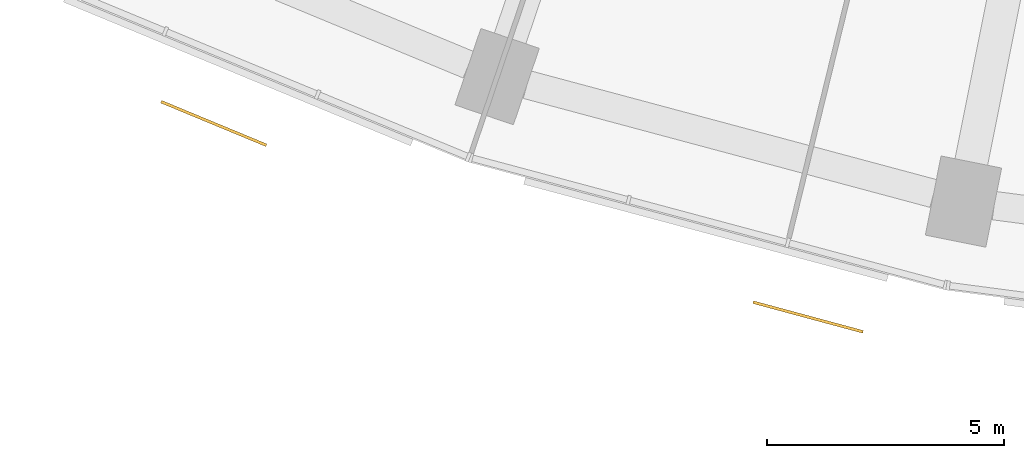
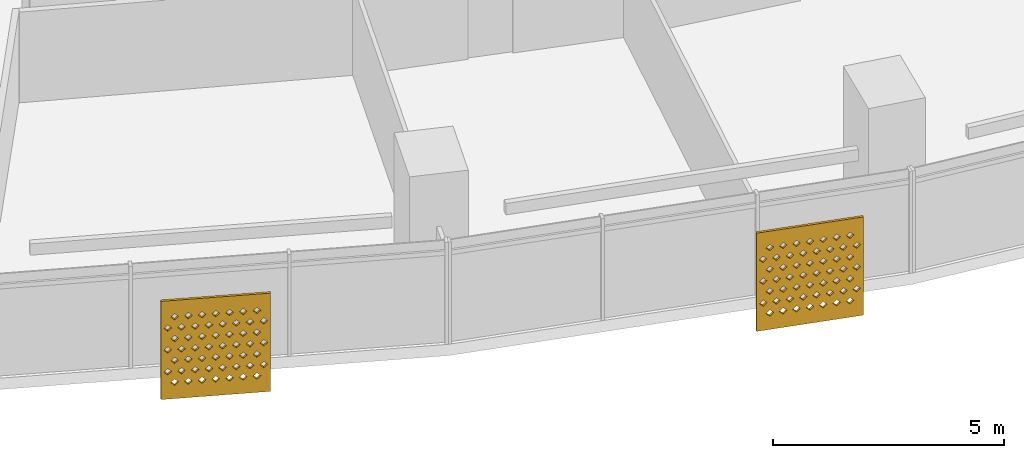
# One storey, part 26 of 31: 2 shading devices.
"""IFC4 building model written with IfcOpenShell, lengths in metres."""

import ifcopenshell
import ifcopenshell.guid

model = None  # the IFC model being written
_history = None  # IfcOwnerHistory: only IFC2X3 demands one
_inside = {}  # id of a spatial element -> (the spatial element, [elements in it])
_under = {}  # id of a project, library or spatial element -> (it, [spatial elements below it])
_declared = {}  # id of a project -> (the project, [libraries it declares])
_typed = {}  # id of a type object -> (the type object, [elements of that type])
_made_of = {}  # id of a material, layer set ... -> (it, [elements and type objects made of it])


def new_model(schema):
    """Start an empty IFC model of exactly this schema.

    Asked for "IFC4X3", IfcOpenShell would pick the latest addendum, in which some entities
    have other attributes; the version numbers below select the first issue.
    IFC2X3 requires an IfcOwnerHistory on every rooted entity: one is made here for all.
    """
    global model, _history
    if schema == "IFC4X3":
        model = ifcopenshell.file(schema_version=(4, 3, 0, 0))
    else:
        model = ifcopenshell.file(schema=schema)
    _inside.clear()
    _under.clear()
    _declared.clear()
    _typed.clear()
    _made_of.clear()
    _history = None
    if model.schema == "IFC2X3":
        org = make("IfcOrganization", Name="unknown")
        user = make(
            "IfcPersonAndOrganization",
            ThePerson=make("IfcPerson", FamilyName="unknown"),
            TheOrganization=org,
        )
        app = make(
            "IfcApplication",
            ApplicationDeveloper=org,
            Version="unknown",
            ApplicationFullName="unknown",
            ApplicationIdentifier="unknown",
        )
        _history = make(
            "IfcOwnerHistory",
            OwningUser=user,
            OwningApplication=app,
            ChangeAction="ADDED",
            CreationDate=0,
        )
    return model


def make(cls, **values):
    """One entity of the class cls with the attributes given. An attribute that is None is left unset."""
    return model.create_entity(
        cls, **{name: value for name, value in values.items() if value is not None}
    )


def rooted(cls, **values):
    """An entity with a GlobalId (a new one), such as an element, a storey or a relation."""
    return make(cls, GlobalId=ifcopenshell.guid.new(), OwnerHistory=_history, **values)


def si_unit(unit_type, name, prefix=None):
    """IfcSIUnit, for example si_unit("LENGTHUNIT", "METRE", prefix="MILLI")."""
    return make("IfcSIUnit", UnitType=unit_type, Prefix=prefix, Name=name)


def assignment(units):
    """IfcUnitAssignment: the units of a project."""
    return None if units is None else make("IfcUnitAssignment", Units=units)


def point(xyz):
    """IfcCartesianPoint."""
    return None if xyz is None else make("IfcCartesianPoint", Coordinates=xyz)


def direction(xyz):
    """IfcDirection."""
    return None if xyz is None else make("IfcDirection", DirectionRatios=xyz)


def frame(location, z_axis=None, x_axis=None):
    """IfcAxis2Placement3D, a coordinate frame: its origin and axes. An axis left out is left unset."""
    return make(
        "IfcAxis2Placement3D",
        Location=point(location),
        Axis=direction(z_axis),
        RefDirection=direction(x_axis),
    )


def origin():
    """The frame at (0, 0, 0) with its axes left unset."""
    return frame((0.0, 0.0, 0.0))


def place(relative_to, where):
    """IfcLocalPlacement: puts the frame where relative to a parent placement (None: the world)."""
    return make(
        "IfcLocalPlacement", PlacementRelTo=relative_to, RelativePlacement=where
    )


def context(
    kind, dimensions, precision=None, world=None, true_north=None, identifier=None
):
    """IfcGeometricRepresentationContext, for example the 3D "Model" context."""
    return make(
        "IfcGeometricRepresentationContext",
        ContextIdentifier=identifier,
        ContextType=kind,
        CoordinateSpaceDimension=dimensions,
        Precision=precision,
        WorldCoordinateSystem=world,
        TrueNorth=true_north,
    )


def subcontext(parent, identifier, kind, view, scale=None):
    """IfcGeometricRepresentationSubContext, for example "Body" below "Model"."""
    return make(
        "IfcGeometricRepresentationSubContext",
        ContextIdentifier=identifier,
        ContextType=kind,
        ParentContext=parent,
        TargetScale=scale,
        TargetView=view,
    )


def project(units=None, contexts=None):
    """IfcProject with its units and contexts."""
    return rooted(
        "IfcProject",
        Name="project",
        RepresentationContexts=contexts,
        UnitsInContext=assignment(units),
    )


def spatial(cls, under=None, at=None, **own):
    """A site, building, storey or space (cls), placed at a placement, below another one or the project."""
    s = rooted(cls, ObjectPlacement=at, **own)
    if under is not None:
        _under.setdefault(under.id(), (under, []))[1].append(s)
    return s


def polyline(points):
    """IfcPolyline through the points."""
    return make("IfcPolyline", Points=[point(p) for p in points])


def outline(outer, holes=None, kind="AREA"):
    """IfcArbitraryClosedProfileDef: a profile drawn as a closed curve; with holes, ...WithVoids."""
    if holes is None:
        return make("IfcArbitraryClosedProfileDef", ProfileType=kind, OuterCurve=outer)
    return make(
        "IfcArbitraryProfileDefWithVoids",
        ProfileType=kind,
        OuterCurve=outer,
        InnerCurves=holes,
    )


def extrude(swept, where, along, depth):
    """IfcExtrudedAreaSolid: the profile swept, set in the frame where, extruded along a direction by depth."""
    return make(
        "IfcExtrudedAreaSolid",
        SweptArea=swept,
        Position=where,
        ExtrudedDirection=direction(along),
        Depth=depth,
    )


def shape(context_of_items, identifier, shape_type, items):
    """IfcShapeRepresentation: the items that make up one representation, for example the "Body"."""
    return make(
        "IfcShapeRepresentation",
        ContextOfItems=context_of_items,
        RepresentationIdentifier=identifier,
        RepresentationType=shape_type,
        Items=items,
    )


def material(Name=None, Category=None):
    """IfcMaterial."""
    return make("IfcMaterial", Name=Name, Category=Category)


def material_profile(
    of_material, cross_section, Name=None, Category=None, Priority=None
):
    """IfcMaterialProfile: a cross section and its material."""
    return make(
        "IfcMaterialProfile",
        Name=Name,
        Material=of_material,
        Profile=cross_section,
        Priority=Priority,
        Category=Category,
    )


def profile_set(profiles, Name=None, composite=None):
    """IfcMaterialProfileSet."""
    return make(
        "IfcMaterialProfileSet",
        Name=Name,
        MaterialProfiles=profiles,
        CompositeProfile=composite,
    )


def made_of(thing, what):
    """Note that an element or type object is made of a material, layer set ...; save() writes the relation."""
    if what is not None:
        _made_of.setdefault(what.id(), (what, []))[1].append(thing)
    return thing


def type_object(cls, material=None, **own):
    """A type object (cls), such as IfcWallType, which elements share."""
    return made_of(rooted(cls, **own), material)


def element(
    cls,
    number,
    at=None,
    inside=None,
    cuts=None,
    type_object=None,
    material=None,
    context=None,
    identifier="Body",
    shape_type=None,
    held_by="IfcProductDefinitionShape",
    body=None,
    shapes=None,
    **own,
):
    """One element of the class cls, such as IfcWall. Its Tag is "e" and its number.

    at: its placement. inside: the storey or other place that contains it. cuts: it is an
    opening in that element (IfcRelVoidsElement). A single representation is given by context,
    identifier, shape_type and body (its items); several are given by shapes. held_by: the class
    of the entity that holds the representations. save() writes the other relations.
    """
    e = rooted(cls, Tag="e%d" % number, ObjectPlacement=at, **own)
    if body is not None:
        shapes = [shape(context, identifier, shape_type, body)]
    if shapes is not None:
        e.Representation = make(held_by, Representations=shapes)
    if inside is not None:
        _inside.setdefault(inside.id(), (inside, []))[1].append(e)
    if cuts is not None:
        rooted(
            "IfcRelVoidsElement", RelatingBuildingElement=cuts, RelatedOpeningElement=e
        )
    if type_object is not None:
        _typed.setdefault(type_object.id(), (type_object, []))[1].append(e)
    return made_of(e, material)


def aggregate(whole, parts):
    """IfcRelAggregates: a whole, such as a stair, and the parts it consists of."""
    return rooted("IfcRelAggregates", RelatingObject=whole, RelatedObjects=parts)


def save(model, path):
    """Write the relations noted so far, then the file.

    IfcRelAggregates (storeys below a building ...), IfcRelContainedInSpatialStructure (elements
    in a storey), IfcRelDefinesByType, IfcRelAssociatesMaterial and IfcRelDeclares: one each for
    every whole, place, type object, material and project.
    """
    for whole, parts in _under.values():
        aggregate(whole, parts)
    for where, things in _inside.values():
        rooted(
            "IfcRelContainedInSpatialStructure",
            RelatedElements=things,
            RelatingStructure=where,
        )
    for kind, things in _typed.values():
        rooted("IfcRelDefinesByType", RelatedObjects=things, RelatingType=kind)
    for what, things in _made_of.values():
        rooted("IfcRelAssociatesMaterial", RelatedObjects=things, RelatingMaterial=what)
    for by, libraries in _declared.values():
        rooted("IfcRelDeclares", RelatingContext=by, RelatedDefinitions=libraries)
    model.write(path)


model = new_model("IFC4")

# Units and contexts
model_context = context("Model", 3, precision=1e-05, world=origin(), true_north=direction((0.0, 1.0)))
body_context = subcontext(model_context, "Body", "Model", "MODEL_VIEW")
ifc_project = project(units=[si_unit("LENGTHUNIT", "METRE"), si_unit("AREAUNIT", "SQUARE_METRE"), si_unit("VOLUMEUNIT", "CUBIC_METRE"), si_unit("PLANEANGLEUNIT", "RADIAN"), si_unit("MASSUNIT", "GRAM", prefix="KILO")], contexts=[model_context])

# Site, building, storey
site_placement = place(None, origin())
site = spatial("IfcSite", under=ifc_project, at=site_placement, CompositionType="ELEMENT")
building_placement = place(site_placement, origin())
building = spatial("IfcBuilding", under=site, at=building_placement, Name="Qamariyya Broadcast Tower", CompositionType="ELEMENT")
storey_placement = place(building_placement, frame((0.0, 0.0, 51.89990234375)))
storey = spatial("IfcBuildingStorey", under=building, at=storey_placement, Name="L09", CompositionType="ELEMENT", Elevation=51.89990234375)

# Shading devices
ifc_material = material(Name="Perforated glazed terracotta", Category="masonry")
ifc_material_profile = material_profile(ifc_material, outline(polyline([(-1.199951171875, -1.300048828125), (1.199951171875, -1.300048828125), (1.199951171875, 1.300048828125), (-1.199951171875, 1.300048828125), (-1.199951171875, -1.300048828125)]), holes=[polyline([(-0.81494140625, -0.86669921875), (-0.89990234375, -0.78173828125), (-0.985107421875, -0.86669921875), (-0.89990234375, -0.95166015625), (-0.81494140625, -0.86669921875)]), polyline([(-0.514892578125, -0.86669921875), (-0.60009765625, -0.78173828125), (-0.68505859375, -0.86669921875), (-0.60009765625, -0.95166015625), (-0.514892578125, -0.86669921875)]), polyline([(-0.215087890625, -0.86669921875), (-0.300048828125, -0.78173828125), (-0.385009765625, -0.86669921875), (-0.300048828125, -0.95166015625), (-0.215087890625, -0.86669921875)]), polyline([(0.0849609375, -0.86669921875), (0.0, -0.78173828125), (-0.0849609375, -0.86669921875), (0.0, -0.95166015625), (0.0849609375, -0.86669921875)]), polyline([(0.385009765625, -0.86669921875), (0.300048828125, -0.78173828125), (0.215087890625, -0.86669921875), (0.300048828125, -0.95166015625), (0.385009765625, -0.86669921875)]), polyline([(0.68505859375, -0.86669921875), (0.60009765625, -0.78173828125), (0.514892578125, -0.86669921875), (0.60009765625, -0.95166015625), (0.68505859375, -0.86669921875)]), polyline([(0.985107421875, -0.86669921875), (0.89990234375, -0.78173828125), (0.81494140625, -0.86669921875), (0.89990234375, -0.95166015625), (0.985107421875, -0.86669921875)]), polyline([(-0.965087890625, -0.577880859375), (-1.050048828125, -0.49267578125), (-1.135009765625, -0.577880859375), (-1.050048828125, -0.662841796875), (-0.965087890625, -0.577880859375)]), polyline([(-0.6650390625, -0.577880859375), (-0.75, -0.49267578125), (-0.8349609375, -0.577880859375), (-0.75, -0.662841796875), (-0.6650390625, -0.577880859375)]), polyline([(-0.364990234375, -0.577880859375), (-0.449951171875, -0.49267578125), (-0.534912109375, -0.577880859375), (-0.449951171875, -0.662841796875), (-0.364990234375, -0.577880859375)]), polyline([(-0.06494140625, -0.577880859375), (-0.14990234375, -0.49267578125), (-0.235107421875, -0.577880859375), (-0.14990234375, -0.662841796875), (-0.06494140625, -0.577880859375)]), polyline([(0.235107421875, -0.577880859375), (0.14990234375, -0.49267578125), (0.06494140625, -0.577880859375), (0.14990234375, -0.662841796875), (0.235107421875, -0.577880859375)]), polyline([(0.534912109375, -0.577880859375), (0.449951171875, -0.49267578125), (0.364990234375, -0.577880859375), (0.449951171875, -0.662841796875), (0.534912109375, -0.577880859375)]), polyline([(0.8349609375, -0.577880859375), (0.75, -0.49267578125), (0.6650390625, -0.577880859375), (0.75, -0.662841796875), (0.8349609375, -0.577880859375)]), polyline([(1.135009765625, -0.577880859375), (1.050048828125, -0.49267578125), (0.965087890625, -0.577880859375), (1.050048828125, -0.662841796875), (1.135009765625, -0.577880859375)]), polyline([(-0.81494140625, -0.288818359375), (-0.89990234375, -0.203857421875), (-0.985107421875, -0.288818359375), (-0.89990234375, -0.373779296875), (-0.81494140625, -0.288818359375)]), polyline([(-0.514892578125, -0.288818359375), (-0.60009765625, -0.203857421875), (-0.68505859375, -0.288818359375), (-0.60009765625, -0.373779296875), (-0.514892578125, -0.288818359375)]), polyline([(-0.215087890625, -0.288818359375), (-0.300048828125, -0.203857421875), (-0.385009765625, -0.288818359375), (-0.300048828125, -0.373779296875), (-0.215087890625, -0.288818359375)]), polyline([(0.0849609375, -0.288818359375), (0.0, -0.203857421875), (-0.0849609375, -0.288818359375), (0.0, -0.373779296875), (0.0849609375, -0.288818359375)]), polyline([(0.385009765625, -0.288818359375), (0.300048828125, -0.203857421875), (0.215087890625, -0.288818359375), (0.300048828125, -0.373779296875), (0.385009765625, -0.288818359375)]), polyline([(0.68505859375, -0.288818359375), (0.60009765625, -0.203857421875), (0.514892578125, -0.288818359375), (0.60009765625, -0.373779296875), (0.68505859375, -0.288818359375)]), polyline([(0.985107421875, -0.288818359375), (0.89990234375, -0.203857421875), (0.81494140625, -0.288818359375), (0.89990234375, -0.373779296875), (0.985107421875, -0.288818359375)]), polyline([(-0.965087890625, 0.0), (-1.050048828125, 0.0849609375), (-1.135009765625, 0.0), (-1.050048828125, -0.0849609375), (-0.965087890625, 0.0)]), polyline([(-0.6650390625, 0.0), (-0.75, 0.0849609375), (-0.8349609375, 0.0), (-0.75, -0.0849609375), (-0.6650390625, 0.0)]), polyline([(-0.364990234375, 0.0), (-0.449951171875, 0.0849609375), (-0.534912109375, 0.0), (-0.449951171875, -0.0849609375), (-0.364990234375, 0.0)]), polyline([(-0.06494140625, 0.0), (-0.14990234375, 0.0849609375), (-0.235107421875, 0.0), (-0.14990234375, -0.0849609375), (-0.06494140625, 0.0)]), polyline([(0.235107421875, 0.0), (0.14990234375, 0.0849609375), (0.06494140625, 0.0), (0.14990234375, -0.0849609375), (0.235107421875, 0.0)]), polyline([(0.534912109375, 0.0), (0.449951171875, 0.0849609375), (0.364990234375, 0.0), (0.449951171875, -0.0849609375), (0.534912109375, 0.0)]), polyline([(0.8349609375, 0.0), (0.75, 0.0849609375), (0.6650390625, 0.0), (0.75, -0.0849609375), (0.8349609375, 0.0)]), polyline([(1.135009765625, 0.0), (1.050048828125, 0.0849609375), (0.965087890625, 0.0), (1.050048828125, -0.0849609375), (1.135009765625, 0.0)]), polyline([(-0.81494140625, 0.288818359375), (-0.89990234375, 0.373779296875), (-0.985107421875, 0.288818359375), (-0.89990234375, 0.203857421875), (-0.81494140625, 0.288818359375)]), polyline([(-0.514892578125, 0.288818359375), (-0.60009765625, 0.373779296875), (-0.68505859375, 0.288818359375), (-0.60009765625, 0.203857421875), (-0.514892578125, 0.288818359375)]), polyline([(-0.215087890625, 0.288818359375), (-0.300048828125, 0.373779296875), (-0.385009765625, 0.288818359375), (-0.300048828125, 0.203857421875), (-0.215087890625, 0.288818359375)]), polyline([(0.0849609375, 0.288818359375), (0.0, 0.373779296875), (-0.0849609375, 0.288818359375), (0.0, 0.203857421875), (0.0849609375, 0.288818359375)]), polyline([(0.385009765625, 0.288818359375), (0.300048828125, 0.373779296875), (0.215087890625, 0.288818359375), (0.300048828125, 0.203857421875), (0.385009765625, 0.288818359375)]), polyline([(0.68505859375, 0.288818359375), (0.60009765625, 0.373779296875), (0.514892578125, 0.288818359375), (0.60009765625, 0.203857421875), (0.68505859375, 0.288818359375)]), polyline([(0.985107421875, 0.288818359375), (0.89990234375, 0.373779296875), (0.81494140625, 0.288818359375), (0.89990234375, 0.203857421875), (0.985107421875, 0.288818359375)]), polyline([(-0.965087890625, 0.577880859375), (-1.050048828125, 0.662841796875), (-1.135009765625, 0.577880859375), (-1.050048828125, 0.49267578125), (-0.965087890625, 0.577880859375)]), polyline([(-0.6650390625, 0.577880859375), (-0.75, 0.662841796875), (-0.8349609375, 0.577880859375), (-0.75, 0.49267578125), (-0.6650390625, 0.577880859375)]), polyline([(-0.364990234375, 0.577880859375), (-0.449951171875, 0.662841796875), (-0.534912109375, 0.577880859375), (-0.449951171875, 0.49267578125), (-0.364990234375, 0.577880859375)]), polyline([(-0.06494140625, 0.577880859375), (-0.14990234375, 0.662841796875), (-0.235107421875, 0.577880859375), (-0.14990234375, 0.49267578125), (-0.06494140625, 0.577880859375)]), polyline([(0.235107421875, 0.577880859375), (0.14990234375, 0.662841796875), (0.06494140625, 0.577880859375), (0.14990234375, 0.49267578125), (0.235107421875, 0.577880859375)]), polyline([(0.534912109375, 0.577880859375), (0.449951171875, 0.662841796875), (0.364990234375, 0.577880859375), (0.449951171875, 0.49267578125), (0.534912109375, 0.577880859375)]), polyline([(0.8349609375, 0.577880859375), (0.75, 0.662841796875), (0.6650390625, 0.577880859375), (0.75, 0.49267578125), (0.8349609375, 0.577880859375)]), polyline([(1.135009765625, 0.577880859375), (1.050048828125, 0.662841796875), (0.965087890625, 0.577880859375), (1.050048828125, 0.49267578125), (1.135009765625, 0.577880859375)]), polyline([(-0.81494140625, 0.86669921875), (-0.89990234375, 0.95166015625), (-0.985107421875, 0.86669921875), (-0.89990234375, 0.78173828125), (-0.81494140625, 0.86669921875)]), polyline([(-0.514892578125, 0.86669921875), (-0.60009765625, 0.95166015625), (-0.68505859375, 0.86669921875), (-0.60009765625, 0.78173828125), (-0.514892578125, 0.86669921875)]), polyline([(-0.215087890625, 0.86669921875), (-0.300048828125, 0.95166015625), (-0.385009765625, 0.86669921875), (-0.300048828125, 0.78173828125), (-0.215087890625, 0.86669921875)]), polyline([(0.0849609375, 0.86669921875), (0.0, 0.95166015625), (-0.0849609375, 0.86669921875), (0.0, 0.78173828125), (0.0849609375, 0.86669921875)]), polyline([(0.385009765625, 0.86669921875), (0.300048828125, 0.95166015625), (0.215087890625, 0.86669921875), (0.300048828125, 0.78173828125), (0.385009765625, 0.86669921875)]), polyline([(0.68505859375, 0.86669921875), (0.60009765625, 0.95166015625), (0.514892578125, 0.86669921875), (0.60009765625, 0.78173828125), (0.68505859375, 0.86669921875)]), polyline([(0.985107421875, 0.86669921875), (0.89990234375, 0.95166015625), (0.81494140625, 0.86669921875), (0.89990234375, 0.78173828125), (0.985107421875, 0.86669921875)])]))
ifc_profile_set = profile_set([ifc_material_profile], Name="Perforated glazed terracotta")
shading_device_type = type_object("IfcShadingDeviceType", Name="Perforated terracotta screen 2400 x 2600", PredefinedType="USERDEFINED", material=ifc_profile_set)
shading_device_1_placement = place(storey_placement, frame((-30.949951171875, -74.582763671875, 1.35009765625), z_axis=(-0.382591441855, -0.923917630863, 0.0), x_axis=(0.923917630863, -0.382591441855, 0.0)))
element("IfcShadingDevice", 1, at=shading_device_1_placement, inside=storey, type_object=shading_device_type, Name="e-scr-L09-05-1", ObjectType="SCREEN", PredefinedType="USERDEFINED", context=body_context, shape_type="SweptSolid", body=[
    extrude(outline(polyline([(-1.199951171875, -1.300048828125), (1.199951171875, -1.300048828125), (1.199951171875, 1.300048828125), (-1.199951171875, 1.300048828125), (-1.199951171875, -1.300048828125)]), holes=[polyline([(-0.81494140625, -0.86669921875), (-0.89990234375, -0.78173828125), (-0.985107421875, -0.86669921875), (-0.89990234375, -0.95166015625), (-0.81494140625, -0.86669921875)]), polyline([(-0.514892578125, -0.86669921875), (-0.60009765625, -0.78173828125), (-0.68505859375, -0.86669921875), (-0.60009765625, -0.95166015625), (-0.514892578125, -0.86669921875)]), polyline([(-0.215087890625, -0.86669921875), (-0.300048828125, -0.78173828125), (-0.385009765625, -0.86669921875), (-0.300048828125, -0.95166015625), (-0.215087890625, -0.86669921875)]), polyline([(0.0849609375, -0.86669921875), (0.0, -0.78173828125), (-0.0849609375, -0.86669921875), (0.0, -0.95166015625), (0.0849609375, -0.86669921875)]), polyline([(0.385009765625, -0.86669921875), (0.300048828125, -0.78173828125), (0.215087890625, -0.86669921875), (0.300048828125, -0.95166015625), (0.385009765625, -0.86669921875)]), polyline([(0.68505859375, -0.86669921875), (0.60009765625, -0.78173828125), (0.514892578125, -0.86669921875), (0.60009765625, -0.95166015625), (0.68505859375, -0.86669921875)]), polyline([(0.985107421875, -0.86669921875), (0.89990234375, -0.78173828125), (0.81494140625, -0.86669921875), (0.89990234375, -0.95166015625), (0.985107421875, -0.86669921875)]), polyline([(-0.965087890625, -0.577880859375), (-1.050048828125, -0.49267578125), (-1.135009765625, -0.577880859375), (-1.050048828125, -0.662841796875), (-0.965087890625, -0.577880859375)]), polyline([(-0.6650390625, -0.577880859375), (-0.75, -0.49267578125), (-0.8349609375, -0.577880859375), (-0.75, -0.662841796875), (-0.6650390625, -0.577880859375)]), polyline([(-0.364990234375, -0.577880859375), (-0.449951171875, -0.49267578125), (-0.534912109375, -0.577880859375), (-0.449951171875, -0.662841796875), (-0.364990234375, -0.577880859375)]), polyline([(-0.06494140625, -0.577880859375), (-0.14990234375, -0.49267578125), (-0.235107421875, -0.577880859375), (-0.14990234375, -0.662841796875), (-0.06494140625, -0.577880859375)]), polyline([(0.235107421875, -0.577880859375), (0.14990234375, -0.49267578125), (0.06494140625, -0.577880859375), (0.14990234375, -0.662841796875), (0.235107421875, -0.577880859375)]), polyline([(0.534912109375, -0.577880859375), (0.449951171875, -0.49267578125), (0.364990234375, -0.577880859375), (0.449951171875, -0.662841796875), (0.534912109375, -0.577880859375)]), polyline([(0.8349609375, -0.577880859375), (0.75, -0.49267578125), (0.6650390625, -0.577880859375), (0.75, -0.662841796875), (0.8349609375, -0.577880859375)]), polyline([(1.135009765625, -0.577880859375), (1.050048828125, -0.49267578125), (0.965087890625, -0.577880859375), (1.050048828125, -0.662841796875), (1.135009765625, -0.577880859375)]), polyline([(-0.81494140625, -0.288818359375), (-0.89990234375, -0.203857421875), (-0.985107421875, -0.288818359375), (-0.89990234375, -0.373779296875), (-0.81494140625, -0.288818359375)]), polyline([(-0.514892578125, -0.288818359375), (-0.60009765625, -0.203857421875), (-0.68505859375, -0.288818359375), (-0.60009765625, -0.373779296875), (-0.514892578125, -0.288818359375)]), polyline([(-0.215087890625, -0.288818359375), (-0.300048828125, -0.203857421875), (-0.385009765625, -0.288818359375), (-0.300048828125, -0.373779296875), (-0.215087890625, -0.288818359375)]), polyline([(0.0849609375, -0.288818359375), (0.0, -0.203857421875), (-0.0849609375, -0.288818359375), (0.0, -0.373779296875), (0.0849609375, -0.288818359375)]), polyline([(0.385009765625, -0.288818359375), (0.300048828125, -0.203857421875), (0.215087890625, -0.288818359375), (0.300048828125, -0.373779296875), (0.385009765625, -0.288818359375)]), polyline([(0.68505859375, -0.288818359375), (0.60009765625, -0.203857421875), (0.514892578125, -0.288818359375), (0.60009765625, -0.373779296875), (0.68505859375, -0.288818359375)]), polyline([(0.985107421875, -0.288818359375), (0.89990234375, -0.203857421875), (0.81494140625, -0.288818359375), (0.89990234375, -0.373779296875), (0.985107421875, -0.288818359375)]), polyline([(-0.965087890625, 0.0), (-1.050048828125, 0.0849609375), (-1.135009765625, 0.0), (-1.050048828125, -0.0849609375), (-0.965087890625, 0.0)]), polyline([(-0.6650390625, 0.0), (-0.75, 0.0849609375), (-0.8349609375, 0.0), (-0.75, -0.0849609375), (-0.6650390625, 0.0)]), polyline([(-0.364990234375, 0.0), (-0.449951171875, 0.0849609375), (-0.534912109375, 0.0), (-0.449951171875, -0.0849609375), (-0.364990234375, 0.0)]), polyline([(-0.06494140625, 0.0), (-0.14990234375, 0.0849609375), (-0.235107421875, 0.0), (-0.14990234375, -0.0849609375), (-0.06494140625, 0.0)]), polyline([(0.235107421875, 0.0), (0.14990234375, 0.0849609375), (0.06494140625, 0.0), (0.14990234375, -0.0849609375), (0.235107421875, 0.0)]), polyline([(0.534912109375, 0.0), (0.449951171875, 0.0849609375), (0.364990234375, 0.0), (0.449951171875, -0.0849609375), (0.534912109375, 0.0)]), polyline([(0.8349609375, 0.0), (0.75, 0.0849609375), (0.6650390625, 0.0), (0.75, -0.0849609375), (0.8349609375, 0.0)]), polyline([(1.135009765625, 0.0), (1.050048828125, 0.0849609375), (0.965087890625, 0.0), (1.050048828125, -0.0849609375), (1.135009765625, 0.0)]), polyline([(-0.81494140625, 0.288818359375), (-0.89990234375, 0.373779296875), (-0.985107421875, 0.288818359375), (-0.89990234375, 0.203857421875), (-0.81494140625, 0.288818359375)]), polyline([(-0.514892578125, 0.288818359375), (-0.60009765625, 0.373779296875), (-0.68505859375, 0.288818359375), (-0.60009765625, 0.203857421875), (-0.514892578125, 0.288818359375)]), polyline([(-0.215087890625, 0.288818359375), (-0.300048828125, 0.373779296875), (-0.385009765625, 0.288818359375), (-0.300048828125, 0.203857421875), (-0.215087890625, 0.288818359375)]), polyline([(0.0849609375, 0.288818359375), (0.0, 0.373779296875), (-0.0849609375, 0.288818359375), (0.0, 0.203857421875), (0.0849609375, 0.288818359375)]), polyline([(0.385009765625, 0.288818359375), (0.300048828125, 0.373779296875), (0.215087890625, 0.288818359375), (0.300048828125, 0.203857421875), (0.385009765625, 0.288818359375)]), polyline([(0.68505859375, 0.288818359375), (0.60009765625, 0.373779296875), (0.514892578125, 0.288818359375), (0.60009765625, 0.203857421875), (0.68505859375, 0.288818359375)]), polyline([(0.985107421875, 0.288818359375), (0.89990234375, 0.373779296875), (0.81494140625, 0.288818359375), (0.89990234375, 0.203857421875), (0.985107421875, 0.288818359375)]), polyline([(-0.965087890625, 0.577880859375), (-1.050048828125, 0.662841796875), (-1.135009765625, 0.577880859375), (-1.050048828125, 0.49267578125), (-0.965087890625, 0.577880859375)]), polyline([(-0.6650390625, 0.577880859375), (-0.75, 0.662841796875), (-0.8349609375, 0.577880859375), (-0.75, 0.49267578125), (-0.6650390625, 0.577880859375)]), polyline([(-0.364990234375, 0.577880859375), (-0.449951171875, 0.662841796875), (-0.534912109375, 0.577880859375), (-0.449951171875, 0.49267578125), (-0.364990234375, 0.577880859375)]), polyline([(-0.06494140625, 0.577880859375), (-0.14990234375, 0.662841796875), (-0.235107421875, 0.577880859375), (-0.14990234375, 0.49267578125), (-0.06494140625, 0.577880859375)]), polyline([(0.235107421875, 0.577880859375), (0.14990234375, 0.662841796875), (0.06494140625, 0.577880859375), (0.14990234375, 0.49267578125), (0.235107421875, 0.577880859375)]), polyline([(0.534912109375, 0.577880859375), (0.449951171875, 0.662841796875), (0.364990234375, 0.577880859375), (0.449951171875, 0.49267578125), (0.534912109375, 0.577880859375)]), polyline([(0.8349609375, 0.577880859375), (0.75, 0.662841796875), (0.6650390625, 0.577880859375), (0.75, 0.49267578125), (0.8349609375, 0.577880859375)]), polyline([(1.135009765625, 0.577880859375), (1.050048828125, 0.662841796875), (0.965087890625, 0.577880859375), (1.050048828125, 0.49267578125), (1.135009765625, 0.577880859375)]), polyline([(-0.81494140625, 0.86669921875), (-0.89990234375, 0.95166015625), (-0.985107421875, 0.86669921875), (-0.89990234375, 0.78173828125), (-0.81494140625, 0.86669921875)]), polyline([(-0.514892578125, 0.86669921875), (-0.60009765625, 0.95166015625), (-0.68505859375, 0.86669921875), (-0.60009765625, 0.78173828125), (-0.514892578125, 0.86669921875)]), polyline([(-0.215087890625, 0.86669921875), (-0.300048828125, 0.95166015625), (-0.385009765625, 0.86669921875), (-0.300048828125, 0.78173828125), (-0.215087890625, 0.86669921875)]), polyline([(0.0849609375, 0.86669921875), (0.0, 0.95166015625), (-0.0849609375, 0.86669921875), (0.0, 0.78173828125), (0.0849609375, 0.86669921875)]), polyline([(0.385009765625, 0.86669921875), (0.300048828125, 0.95166015625), (0.215087890625, 0.86669921875), (0.300048828125, 0.78173828125), (0.385009765625, 0.86669921875)]), polyline([(0.68505859375, 0.86669921875), (0.60009765625, 0.95166015625), (0.514892578125, 0.86669921875), (0.60009765625, 0.78173828125), (0.68505859375, 0.86669921875)]), polyline([(0.985107421875, 0.86669921875), (0.89990234375, 0.95166015625), (0.81494140625, 0.86669921875), (0.89990234375, 0.78173828125), (0.985107421875, 0.86669921875)])]), origin(), (0.0, 0.0, 1.0), 0.06005859375),
])
shading_device_2_placement = place(storey_placement, frame((-18.43408203125, -78.65869140625, 1.35009765625), z_axis=(-0.260703819255, -0.965418830677, 0.0), x_axis=(0.965418830677, -0.260703819255, 0.0)))
element("IfcShadingDevice", 2, at=shading_device_2_placement, inside=storey, type_object=shading_device_type, Name="e-scr-L09-06-2", ObjectType="SCREEN", PredefinedType="USERDEFINED", context=body_context, shape_type="SweptSolid", body=[
    extrude(outline(polyline([(-1.199951171875, -1.300048828125), (1.199951171875, -1.300048828125), (1.199951171875, 1.300048828125), (-1.199951171875, 1.300048828125), (-1.199951171875, -1.300048828125)]), holes=[polyline([(-0.81494140625, -0.86669921875), (-0.89990234375, -0.78173828125), (-0.985107421875, -0.86669921875), (-0.89990234375, -0.95166015625), (-0.81494140625, -0.86669921875)]), polyline([(-0.514892578125, -0.86669921875), (-0.60009765625, -0.78173828125), (-0.68505859375, -0.86669921875), (-0.60009765625, -0.95166015625), (-0.514892578125, -0.86669921875)]), polyline([(-0.215087890625, -0.86669921875), (-0.300048828125, -0.78173828125), (-0.385009765625, -0.86669921875), (-0.300048828125, -0.95166015625), (-0.215087890625, -0.86669921875)]), polyline([(0.0849609375, -0.86669921875), (0.0, -0.78173828125), (-0.0849609375, -0.86669921875), (0.0, -0.95166015625), (0.0849609375, -0.86669921875)]), polyline([(0.385009765625, -0.86669921875), (0.300048828125, -0.78173828125), (0.215087890625, -0.86669921875), (0.300048828125, -0.95166015625), (0.385009765625, -0.86669921875)]), polyline([(0.68505859375, -0.86669921875), (0.60009765625, -0.78173828125), (0.514892578125, -0.86669921875), (0.60009765625, -0.95166015625), (0.68505859375, -0.86669921875)]), polyline([(0.985107421875, -0.86669921875), (0.89990234375, -0.78173828125), (0.81494140625, -0.86669921875), (0.89990234375, -0.95166015625), (0.985107421875, -0.86669921875)]), polyline([(-0.965087890625, -0.577880859375), (-1.050048828125, -0.49267578125), (-1.135009765625, -0.577880859375), (-1.050048828125, -0.662841796875), (-0.965087890625, -0.577880859375)]), polyline([(-0.6650390625, -0.577880859375), (-0.75, -0.49267578125), (-0.8349609375, -0.577880859375), (-0.75, -0.662841796875), (-0.6650390625, -0.577880859375)]), polyline([(-0.364990234375, -0.577880859375), (-0.449951171875, -0.49267578125), (-0.534912109375, -0.577880859375), (-0.449951171875, -0.662841796875), (-0.364990234375, -0.577880859375)]), polyline([(-0.06494140625, -0.577880859375), (-0.14990234375, -0.49267578125), (-0.235107421875, -0.577880859375), (-0.14990234375, -0.662841796875), (-0.06494140625, -0.577880859375)]), polyline([(0.235107421875, -0.577880859375), (0.14990234375, -0.49267578125), (0.06494140625, -0.577880859375), (0.14990234375, -0.662841796875), (0.235107421875, -0.577880859375)]), polyline([(0.534912109375, -0.577880859375), (0.449951171875, -0.49267578125), (0.364990234375, -0.577880859375), (0.449951171875, -0.662841796875), (0.534912109375, -0.577880859375)]), polyline([(0.8349609375, -0.577880859375), (0.75, -0.49267578125), (0.6650390625, -0.577880859375), (0.75, -0.662841796875), (0.8349609375, -0.577880859375)]), polyline([(1.135009765625, -0.577880859375), (1.050048828125, -0.49267578125), (0.965087890625, -0.577880859375), (1.050048828125, -0.662841796875), (1.135009765625, -0.577880859375)]), polyline([(-0.81494140625, -0.288818359375), (-0.89990234375, -0.203857421875), (-0.985107421875, -0.288818359375), (-0.89990234375, -0.373779296875), (-0.81494140625, -0.288818359375)]), polyline([(-0.514892578125, -0.288818359375), (-0.60009765625, -0.203857421875), (-0.68505859375, -0.288818359375), (-0.60009765625, -0.373779296875), (-0.514892578125, -0.288818359375)]), polyline([(-0.215087890625, -0.288818359375), (-0.300048828125, -0.203857421875), (-0.385009765625, -0.288818359375), (-0.300048828125, -0.373779296875), (-0.215087890625, -0.288818359375)]), polyline([(0.0849609375, -0.288818359375), (0.0, -0.203857421875), (-0.0849609375, -0.288818359375), (0.0, -0.373779296875), (0.0849609375, -0.288818359375)]), polyline([(0.385009765625, -0.288818359375), (0.300048828125, -0.203857421875), (0.215087890625, -0.288818359375), (0.300048828125, -0.373779296875), (0.385009765625, -0.288818359375)]), polyline([(0.68505859375, -0.288818359375), (0.60009765625, -0.203857421875), (0.514892578125, -0.288818359375), (0.60009765625, -0.373779296875), (0.68505859375, -0.288818359375)]), polyline([(0.985107421875, -0.288818359375), (0.89990234375, -0.203857421875), (0.81494140625, -0.288818359375), (0.89990234375, -0.373779296875), (0.985107421875, -0.288818359375)]), polyline([(-0.965087890625, 0.0), (-1.050048828125, 0.0849609375), (-1.135009765625, 0.0), (-1.050048828125, -0.0849609375), (-0.965087890625, 0.0)]), polyline([(-0.6650390625, 0.0), (-0.75, 0.0849609375), (-0.8349609375, 0.0), (-0.75, -0.0849609375), (-0.6650390625, 0.0)]), polyline([(-0.364990234375, 0.0), (-0.449951171875, 0.0849609375), (-0.534912109375, 0.0), (-0.449951171875, -0.0849609375), (-0.364990234375, 0.0)]), polyline([(-0.06494140625, 0.0), (-0.14990234375, 0.0849609375), (-0.235107421875, 0.0), (-0.14990234375, -0.0849609375), (-0.06494140625, 0.0)]), polyline([(0.235107421875, 0.0), (0.14990234375, 0.0849609375), (0.06494140625, 0.0), (0.14990234375, -0.0849609375), (0.235107421875, 0.0)]), polyline([(0.534912109375, 0.0), (0.449951171875, 0.0849609375), (0.364990234375, 0.0), (0.449951171875, -0.0849609375), (0.534912109375, 0.0)]), polyline([(0.8349609375, 0.0), (0.75, 0.0849609375), (0.6650390625, 0.0), (0.75, -0.0849609375), (0.8349609375, 0.0)]), polyline([(1.135009765625, 0.0), (1.050048828125, 0.0849609375), (0.965087890625, 0.0), (1.050048828125, -0.0849609375), (1.135009765625, 0.0)]), polyline([(-0.81494140625, 0.288818359375), (-0.89990234375, 0.373779296875), (-0.985107421875, 0.288818359375), (-0.89990234375, 0.203857421875), (-0.81494140625, 0.288818359375)]), polyline([(-0.514892578125, 0.288818359375), (-0.60009765625, 0.373779296875), (-0.68505859375, 0.288818359375), (-0.60009765625, 0.203857421875), (-0.514892578125, 0.288818359375)]), polyline([(-0.215087890625, 0.288818359375), (-0.300048828125, 0.373779296875), (-0.385009765625, 0.288818359375), (-0.300048828125, 0.203857421875), (-0.215087890625, 0.288818359375)]), polyline([(0.0849609375, 0.288818359375), (0.0, 0.373779296875), (-0.0849609375, 0.288818359375), (0.0, 0.203857421875), (0.0849609375, 0.288818359375)]), polyline([(0.385009765625, 0.288818359375), (0.300048828125, 0.373779296875), (0.215087890625, 0.288818359375), (0.300048828125, 0.203857421875), (0.385009765625, 0.288818359375)]), polyline([(0.68505859375, 0.288818359375), (0.60009765625, 0.373779296875), (0.514892578125, 0.288818359375), (0.60009765625, 0.203857421875), (0.68505859375, 0.288818359375)]), polyline([(0.985107421875, 0.288818359375), (0.89990234375, 0.373779296875), (0.81494140625, 0.288818359375), (0.89990234375, 0.203857421875), (0.985107421875, 0.288818359375)]), polyline([(-0.965087890625, 0.577880859375), (-1.050048828125, 0.662841796875), (-1.135009765625, 0.577880859375), (-1.050048828125, 0.49267578125), (-0.965087890625, 0.577880859375)]), polyline([(-0.6650390625, 0.577880859375), (-0.75, 0.662841796875), (-0.8349609375, 0.577880859375), (-0.75, 0.49267578125), (-0.6650390625, 0.577880859375)]), polyline([(-0.364990234375, 0.577880859375), (-0.449951171875, 0.662841796875), (-0.534912109375, 0.577880859375), (-0.449951171875, 0.49267578125), (-0.364990234375, 0.577880859375)]), polyline([(-0.06494140625, 0.577880859375), (-0.14990234375, 0.662841796875), (-0.235107421875, 0.577880859375), (-0.14990234375, 0.49267578125), (-0.06494140625, 0.577880859375)]), polyline([(0.235107421875, 0.577880859375), (0.14990234375, 0.662841796875), (0.06494140625, 0.577880859375), (0.14990234375, 0.49267578125), (0.235107421875, 0.577880859375)]), polyline([(0.534912109375, 0.577880859375), (0.449951171875, 0.662841796875), (0.364990234375, 0.577880859375), (0.449951171875, 0.49267578125), (0.534912109375, 0.577880859375)]), polyline([(0.8349609375, 0.577880859375), (0.75, 0.662841796875), (0.6650390625, 0.577880859375), (0.75, 0.49267578125), (0.8349609375, 0.577880859375)]), polyline([(1.135009765625, 0.577880859375), (1.050048828125, 0.662841796875), (0.965087890625, 0.577880859375), (1.050048828125, 0.49267578125), (1.135009765625, 0.577880859375)]), polyline([(-0.81494140625, 0.86669921875), (-0.89990234375, 0.95166015625), (-0.985107421875, 0.86669921875), (-0.89990234375, 0.78173828125), (-0.81494140625, 0.86669921875)]), polyline([(-0.514892578125, 0.86669921875), (-0.60009765625, 0.95166015625), (-0.68505859375, 0.86669921875), (-0.60009765625, 0.78173828125), (-0.514892578125, 0.86669921875)]), polyline([(-0.215087890625, 0.86669921875), (-0.300048828125, 0.95166015625), (-0.385009765625, 0.86669921875), (-0.300048828125, 0.78173828125), (-0.215087890625, 0.86669921875)]), polyline([(0.0849609375, 0.86669921875), (0.0, 0.95166015625), (-0.0849609375, 0.86669921875), (0.0, 0.78173828125), (0.0849609375, 0.86669921875)]), polyline([(0.385009765625, 0.86669921875), (0.300048828125, 0.95166015625), (0.215087890625, 0.86669921875), (0.300048828125, 0.78173828125), (0.385009765625, 0.86669921875)]), polyline([(0.68505859375, 0.86669921875), (0.60009765625, 0.95166015625), (0.514892578125, 0.86669921875), (0.60009765625, 0.78173828125), (0.68505859375, 0.86669921875)]), polyline([(0.985107421875, 0.86669921875), (0.89990234375, 0.95166015625), (0.81494140625, 0.86669921875), (0.89990234375, 0.78173828125), (0.985107421875, 0.86669921875)])]), origin(), (0.0, 0.0, 1.0), 0.059814453125),
])

save(model, "model.ifc")
